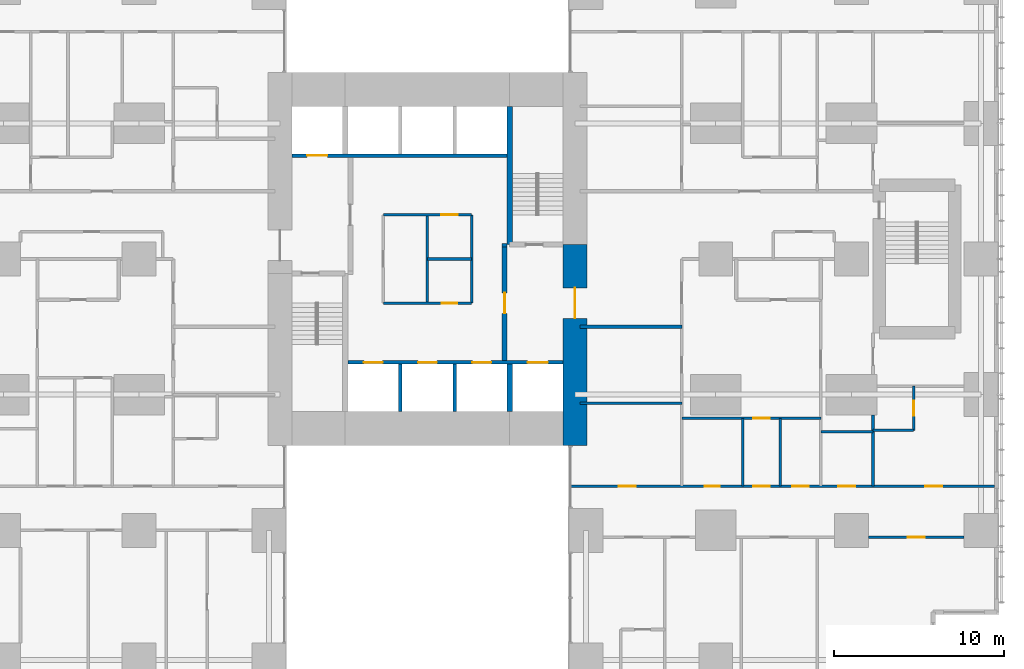
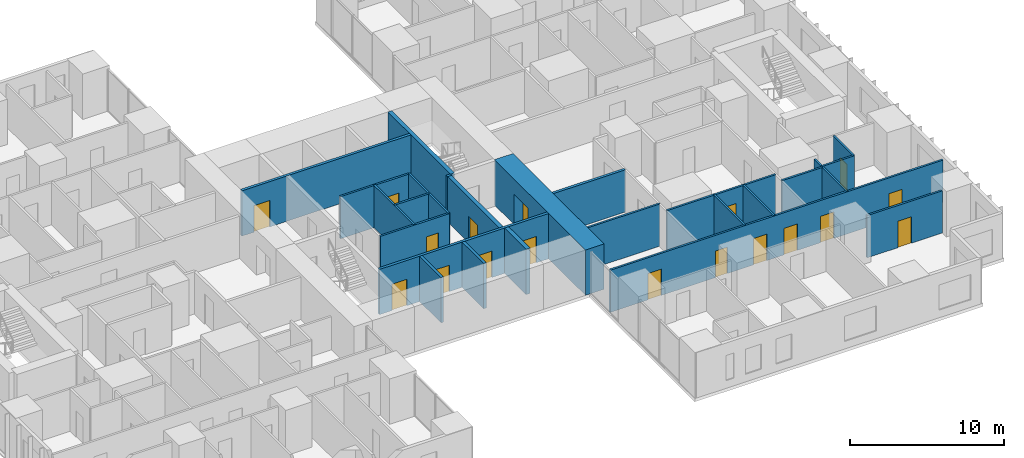
# One storey, part 15 of 20: 25 walls, 18 doors, 18 openings.
"""IFC4 building model written with IfcOpenShell, lengths in metres."""

from ifc_helpers import new_model, si_unit, direction, frame, frame_2d, origin, place, context, subcontext, project, spatial, rectangle, extrude, material, layer, layer_set, type_object, element, fill, save


model = new_model("IFC4")

# Units and contexts
model_context = context("Model", 3, precision=1e-05, world=origin(), true_north=direction((0.0, 1.0)))
body_context = subcontext(model_context, "Body", "Model", "MODEL_VIEW")
ifc_project = project(units=[si_unit("LENGTHUNIT", "METRE"), si_unit("AREAUNIT", "SQUARE_METRE"), si_unit("VOLUMEUNIT", "CUBIC_METRE"), si_unit("PLANEANGLEUNIT", "RADIAN"), si_unit("MASSUNIT", "GRAM", prefix="KILO")], contexts=[model_context])

# Site, building, storey
site_placement = place(None, origin())
site = spatial("IfcSite", under=ifc_project, at=site_placement, CompositionType="ELEMENT")
building_placement = place(site_placement, origin())
building = spatial("IfcBuilding", under=site, at=building_placement, Name="Cleftline Residences", CompositionType="ELEMENT")
storey_placement = place(building_placement, frame((0.0, 0.0, 44.0)))
storey = spatial("IfcBuildingStorey", under=building, at=storey_placement, Name="L10", CompositionType="ELEMENT", Elevation=44.0)

# Wall, opening, door
ifc_material_1 = material(Name="Concrete B70", Category="concrete")
ifc_layer_1 = layer(ifc_material_1, 1.39990234375)
ifc_layer_set_1 = layer_set([ifc_layer_1], Name="CORE WALL 1400")
wall_type_1 = type_object("IfcWallType", Name="CORE WALL 1400", PredefinedType="SHEAR", material=ifc_layer_set_1)
wall_1_placement = place(storey_placement, frame((41.699951171875, 13.0, 0.0), z_axis=(0.0, 0.0, 1.0), x_axis=(0.0, 1.0, 0.0)))
wall_1 = element("IfcWall", 1, at=wall_1_placement, inside=storey, type_object=wall_type_1, Name="Core wall E", PredefinedType="SHEAR", context=body_context, shape_type="SweptSolid", body=[
    extrude(rectangle(XDim=11.85009765625, YDim=1.39990234375, at=frame_2d((5.925048828125, 0.0))), origin(), (0.0, 0.0, 1.0), 3.60009765625),
])
opening_1_placement = place(wall_1_placement, frame((7.5, 0.0, 0.0)))
opening_1 = element("IfcOpeningElement", 2, at=opening_1_placement, cuts=wall_1, Name="Opening D7", PredefinedType="OPENING", context=body_context, shape_type="SweptSolid", body=[
    extrude(rectangle(XDim=1.800048828125, YDim=2.39990234375, at=frame_2d((0.89990234375, 1.199951171875))), frame((0.0, 0.7099609375, 0.0), z_axis=(0.0, -1.0, 0.0), x_axis=(1.0, 0.0, 0.0)), (0.0, 0.0, 1.0), 1.419921875),
])
ifc_material_2 = material(Name="Steel", Category="steel")
door_type_1 = type_object("IfcDoorType", Name="WING DOOR 1800X2400", OperationType="DOUBLE_DOOR_DOUBLE_SWING", PredefinedType="DOOR", material=ifc_material_2)
door_1_placement = place(opening_1_placement, origin())
door_1 = element("IfcDoor", 3, at=door_1_placement, inside=storey, type_object=door_type_1, Name="East wing door", OperationType="DOUBLE_DOOR_DOUBLE_SWING", OverallHeight=2.39990234375, OverallWidth=1.800048828125, PredefinedType="DOOR", context=body_context, shape_type="SweptSolid", body=[
    extrude(rectangle(XDim=1.800048828125, YDim=2.39990234375, at=frame_2d((0.89990234375, 1.199951171875))), frame((0.0, 0.02490234375, 0.0), z_axis=(0.0, -1.0, 0.0), x_axis=(1.0, 0.0, 0.0)), (0.0, 0.0, 1.0), 0.050048828125),
])
fill(opening_1, door_1)

# Walls
ifc_material_3 = material(Name="Concrete B70", Category="concrete")
ifc_layer_2 = layer(ifc_material_3, 0.300048828125)
ifc_layer_set_2 = layer_set([ifc_layer_2], Name="CORE WALL 300")
wall_type_2 = type_object("IfcWallType", Name="CORE WALL 300", PredefinedType="SHEAR", material=ifc_layer_set_2)
wall_2_placement = place(storey_placement, frame((37.85009765625, 24.85009765625, 0.0), z_axis=(0.0, 0.0, 1.0), x_axis=(0.0, 1.0, 0.0)))
element("IfcWall", 4, at=wall_2_placement, inside=storey, type_object=wall_type_2, Name="Core wall SB-W", PredefinedType="SHEAR", context=body_context, shape_type="SweptSolid", body=[
    extrude(rectangle(XDim=8.14990234375, YDim=0.300048828125, at=frame_2d((4.074951171875, 0.0))), origin(), (0.0, 0.0, 1.0), 3.60009765625),
])
wall_3_placement = place(storey_placement, frame((37.85009765625, 15.0, 0.0), z_axis=(0.0, 0.0, 1.0), x_axis=(0.0, 1.0, 0.0)))
element("IfcWall", 5, at=wall_3_placement, inside=storey, type_object=wall_type_2, Name="Lift shaft wall", PredefinedType="SHEAR", context=body_context, shape_type="SweptSolid", body=[
    extrude(rectangle(XDim=2.800048828125, YDim=0.300048828125, at=frame_2d((1.39990234375, 0.0))), origin(), (0.0, 0.0, 1.0), 3.60009765625),
])
ifc_material_4 = material(Name="Concrete blockwork, fire rated", Category="masonry")
ifc_layer_3 = layer(ifc_material_4, 0.199951171875)
ifc_layer_set_3 = layer_set([ifc_layer_3], Name="FIRE WALL 200")
wall_type_3 = type_object("IfcWallType", Name="FIRE WALL 200", PredefinedType="PARTITIONING", material=ifc_layer_set_3)
wall_4_placement = place(storey_placement, frame((42.0, 20.0, 0.0), z_axis=(0.0, 0.0, 1.0), x_axis=(1.0, 0.0, 0.0)))
element("IfcWall", 6, at=wall_4_placement, inside=storey, type_object=wall_type_3, Name="Fire separating wall", PredefinedType="PARTITIONING", context=body_context, shape_type="SweptSolid", body=[
    extrude(rectangle(XDim=6.0, YDim=0.199951171875, at=frame_2d((3.0, 0.0))), origin(), (0.0, 0.0, 1.0), 3.35009765625),
])
wall_5_placement = place(storey_placement, frame((37.39990234375, 24.800048828125, 0.0), z_axis=(0.0, 0.0, 1.0), x_axis=(1.0, 0.0, 0.0)))
element("IfcWall", 7, at=wall_5_placement, inside=storey, type_object=wall_type_3, Name="Fire separating wall", PredefinedType="PARTITIONING", context=body_context, shape_type="SweptSolid", body=[
    extrude(rectangle(XDim=0.300048828125, YDim=0.199951171875, at=frame_2d((0.14990234375, 0.0))), origin(), (0.0, 0.0, 1.0), 3.60009765625),
])

# Wall, opening, door
ifc_material_5 = material(Name="Gypsum board on steel studs", Category="steel")
ifc_layer_4 = layer(ifc_material_5, 0.14990234375)
ifc_layer_set_4 = layer_set([ifc_layer_4], Name="PARTITION 150")
wall_type_4 = type_object("IfcWallType", Name="PARTITION 150", PredefinedType="PARTITIONING", material=ifc_layer_set_4)
wall_6_placement = place(storey_placement, frame((59.0, 7.60009765625, 0.0), z_axis=(0.0, 0.0, 1.0), x_axis=(1.0, 0.0, 0.0)))
wall_6 = element("IfcWall", 8, at=wall_6_placement, inside=storey, type_object=wall_type_4, Name="Partition", PredefinedType="PARTITIONING", context=body_context, shape_type="SweptSolid", body=[
    extrude(rectangle(XDim=5.64990234375, YDim=0.14990234375, at=frame_2d((2.824951171875, 0.0))), origin(), (0.0, 0.0, 1.0), 3.35009765625),
])
opening_2_placement = place(wall_6_placement, frame((2.324951171875, 0.0, 0.0)))
opening_2 = element("IfcOpeningElement", 9, at=opening_2_placement, cuts=wall_6, Name="Opening D2", PredefinedType="OPENING", context=body_context, shape_type="SweptSolid", body=[
    extrude(rectangle(XDim=1.0, YDim=2.10009765625, at=frame_2d((0.5, 1.050048828125))), frame((0.0, 0.0849609375, 0.0), z_axis=(0.0, -1.0, 0.0), x_axis=(1.0, 0.0, 0.0)), (0.0, 0.0, 1.0), 0.169921875),
])
ifc_material_6 = material(Name="Timber veneer on solid core", Category="wood")
door_type_2 = type_object("IfcDoorType", Name="DOOR 1000X2100", OperationType="SINGLE_SWING_LEFT", PredefinedType="DOOR", material=ifc_material_6)
door_2_placement = place(opening_2_placement, origin())
door_2 = element("IfcDoor", 10, at=door_2_placement, inside=storey, type_object=door_type_2, Name="Door to sea-view lounge", OperationType="SINGLE_SWING_LEFT", OverallHeight=2.10009765625, OverallWidth=1.0, PredefinedType="DOOR", context=body_context, shape_type="SweptSolid", body=[
    extrude(rectangle(XDim=1.0, YDim=2.10009765625, at=frame_2d((0.5, 1.050048828125))), frame((0.0, 0.02490234375, 0.0), z_axis=(0.0, -1.0, 0.0), x_axis=(1.0, 0.0, 0.0)), (0.0, 0.0, 1.0), 0.050048828125),
])
fill(opening_2, door_2)

# Wall, openings, doors
wall_7_placement = place(storey_placement, frame((41.43896484375, 10.60009765625, 0.0), z_axis=(0.0, 0.0, 1.0), x_axis=(1.0, 0.0, 0.0)))
wall_7 = element("IfcWall", 11, at=wall_7_placement, inside=storey, type_object=wall_type_4, Name="Partition", PredefinedType="PARTITIONING", context=body_context, shape_type="SweptSolid", body=[
    extrude(rectangle(XDim=25.010986328125, YDim=0.14990234375, at=frame_2d((12.50537109375, 0.0))), origin(), (0.0, 0.0, 1.0), 3.35009765625),
])
opening_3_placement = place(wall_7_placement, frame((10.760986328125, 0.0, 0.0)))
opening_3 = element("IfcOpeningElement", 12, at=opening_3_placement, cuts=wall_7, Name="Opening D2", PredefinedType="OPENING", context=body_context, shape_type="SweptSolid", body=[
    extrude(rectangle(XDim=1.0, YDim=2.10009765625, at=frame_2d((0.5, 1.050048828125))), frame((0.0, 0.0849609375, 0.0), z_axis=(0.0, -1.0, 0.0), x_axis=(1.0, 0.0, 0.0)), (0.0, 0.0, 1.0), 0.169921875),
])
opening_4_placement = place(wall_7_placement, frame((20.923583984375, 0.0, 0.0)))
opening_4 = element("IfcOpeningElement", 13, at=opening_4_placement, cuts=wall_7, Name="Opening D2", PredefinedType="OPENING", context=body_context, shape_type="SweptSolid", body=[
    extrude(rectangle(XDim=1.0, YDim=2.10009765625, at=frame_2d((0.5, 1.050048828125))), frame((0.0, 0.0849609375, 0.0), z_axis=(0.0, -1.0, 0.0), x_axis=(1.0, 0.0, 0.0)), (0.0, 0.0, 1.0), 0.169921875),
])
opening_5_placement = place(wall_7_placement, frame((15.798583984375, 0.0, 0.0)))
opening_5 = element("IfcOpeningElement", 14, at=opening_5_placement, cuts=wall_7, Name="Opening D2", PredefinedType="OPENING", context=body_context, shape_type="SweptSolid", body=[
    extrude(rectangle(XDim=1.0, YDim=2.10009765625, at=frame_2d((0.5, 1.050048828125))), frame((0.0, 0.0849609375, 0.0), z_axis=(0.0, -1.0, 0.0), x_axis=(1.0, 0.0, 0.0)), (0.0, 0.0, 1.0), 0.169921875),
])
opening_6_placement = place(wall_7_placement, frame((13.06103515625, 0.0, 0.0)))
opening_6 = element("IfcOpeningElement", 15, at=opening_6_placement, cuts=wall_7, Name="Opening D2", PredefinedType="OPENING", context=body_context, shape_type="SweptSolid", body=[
    extrude(rectangle(XDim=1.0, YDim=2.10009765625, at=frame_2d((0.5, 1.050048828125))), frame((0.0, 0.0849609375, 0.0), z_axis=(0.0, -1.0, 0.0), x_axis=(1.0, 0.0, 0.0)), (0.0, 0.0, 1.0), 0.169921875),
])
opening_7_placement = place(wall_7_placement, frame((7.910888671875, 0.0, 0.0)))
opening_7 = element("IfcOpeningElement", 16, at=opening_7_placement, cuts=wall_7, Name="Opening D1", PredefinedType="OPENING", context=body_context, shape_type="SweptSolid", body=[
    extrude(rectangle(XDim=0.89990234375, YDim=2.10009765625, at=frame_2d((0.449951171875, 1.050048828125))), frame((0.0, 0.0849609375, 0.0), z_axis=(0.0, -1.0, 0.0), x_axis=(1.0, 0.0, 0.0)), (0.0, 0.0, 1.0), 0.169921875),
])
opening_8_placement = place(wall_7_placement, frame((2.8359375, 0.0, 0.0)))
opening_8 = element("IfcOpeningElement", 17, at=opening_8_placement, cuts=wall_7, Name="Opening D2", PredefinedType="OPENING", context=body_context, shape_type="SweptSolid", body=[
    extrude(rectangle(XDim=1.0, YDim=2.10009765625, at=frame_2d((0.5, 1.050048828125))), frame((0.0, 0.0849609375, 0.0), z_axis=(0.0, -1.0, 0.0), x_axis=(1.0, 0.0, 0.0)), (0.0, 0.0, 1.0), 0.169921875),
])
door_3_placement = place(opening_3_placement, origin())
door_3 = element("IfcDoor", 18, at=door_3_placement, inside=storey, type_object=door_type_2, Name="Door to residence hall", OperationType="SINGLE_SWING_RIGHT", OverallHeight=2.10009765625, OverallWidth=1.0, PredefinedType="DOOR", context=body_context, shape_type="SweptSolid", body=[
    extrude(rectangle(XDim=1.0, YDim=2.10009765625, at=frame_2d((0.5, 1.050048828125))), frame((0.0, 0.02490234375, 0.0), z_axis=(0.0, -1.0, 0.0), x_axis=(1.0, 0.0, 0.0)), (0.0, 0.0, 1.0), 0.050048828125),
])
fill(opening_3, door_3)
door_4_placement = place(opening_4_placement, origin())
door_4 = element("IfcDoor", 19, at=door_4_placement, inside=storey, type_object=door_type_2, Name="Door to master bedroom", OperationType="SINGLE_SWING_LEFT", OverallHeight=2.10009765625, OverallWidth=1.0, PredefinedType="DOOR", context=body_context, shape_type="SweptSolid", body=[
    extrude(rectangle(XDim=1.0, YDim=2.10009765625, at=frame_2d((0.5, 1.050048828125))), frame((0.0, 0.02490234375, 0.0), z_axis=(0.0, -1.0, 0.0), x_axis=(1.0, 0.0, 0.0)), (0.0, 0.0, 1.0), 0.050048828125),
])
fill(opening_4, door_4)
door_5_placement = place(opening_5_placement, origin())
door_5 = element("IfcDoor", 20, at=door_5_placement, inside=storey, type_object=door_type_2, Name="Door to wet kitchen", OperationType="SINGLE_SWING_LEFT", OverallHeight=2.10009765625, OverallWidth=1.0, PredefinedType="DOOR", context=body_context, shape_type="SweptSolid", body=[
    extrude(rectangle(XDim=1.0, YDim=2.10009765625, at=frame_2d((0.5, 1.050048828125))), frame((0.0, 0.02490234375, 0.0), z_axis=(0.0, -1.0, 0.0), x_axis=(1.0, 0.0, 0.0)), (0.0, 0.0, 1.0), 0.050048828125),
])
fill(opening_5, door_5)
door_6_placement = place(opening_6_placement, origin())
door_6 = element("IfcDoor", 21, at=door_6_placement, inside=storey, type_object=door_type_2, Name="Door to media room", OperationType="SINGLE_SWING_LEFT", OverallHeight=2.10009765625, OverallWidth=1.0, PredefinedType="DOOR", context=body_context, shape_type="SweptSolid", body=[
    extrude(rectangle(XDim=1.0, YDim=2.10009765625, at=frame_2d((0.5, 1.050048828125))), frame((0.0, 0.02490234375, 0.0), z_axis=(0.0, -1.0, 0.0), x_axis=(1.0, 0.0, 0.0)), (0.0, 0.0, 1.0), 0.050048828125),
])
fill(opening_6, door_6)
door_7_placement = place(opening_8_placement, origin())
door_7 = element("IfcDoor", 22, at=door_7_placement, inside=storey, type_object=door_type_2, Name="Door to study", OperationType="SINGLE_SWING_RIGHT", OverallHeight=2.10009765625, OverallWidth=1.0, PredefinedType="DOOR", context=body_context, shape_type="SweptSolid", body=[
    extrude(rectangle(XDim=1.0, YDim=2.10009765625, at=frame_2d((0.5, 1.050048828125))), frame((0.0, 0.02490234375, 0.0), z_axis=(0.0, -1.0, 0.0), x_axis=(1.0, 0.0, 0.0)), (0.0, 0.0, 1.0), 0.050048828125),
])
fill(opening_8, door_7)
ifc_material_7 = material(Name="Timber veneer on solid core", Category="wood")
door_type_3 = type_object("IfcDoorType", Name="DOOR 900X2100", OperationType="SINGLE_SWING_LEFT", PredefinedType="DOOR", material=ifc_material_7)
door_8_placement = place(opening_7_placement, origin())
door_8 = element("IfcDoor", 23, at=door_8_placement, inside=storey, type_object=door_type_3, Name="Door to bedroom 2 bathroom", OperationType="SINGLE_SWING_RIGHT", OverallHeight=2.10009765625, OverallWidth=0.89990234375, PredefinedType="DOOR", context=body_context, shape_type="SweptSolid", body=[
    extrude(rectangle(XDim=0.89990234375, YDim=2.10009765625, at=frame_2d((0.449951171875, 1.050048828125))), frame((0.0, 0.02490234375, 0.0), z_axis=(0.0, -1.0, 0.0), x_axis=(1.0, 0.0, 0.0)), (0.0, 0.0, 1.0), 0.050048828125),
])
fill(opening_7, door_8)

# Walls
wall_8_placement = place(storey_placement, frame((56.199951171875, 13.800048828125, 0.0), z_axis=(0.0, 0.0, 1.0), x_axis=(1.0, 0.0, 0.0)))
element("IfcWall", 24, at=wall_8_placement, inside=storey, type_object=wall_type_4, Name="Partition", PredefinedType="PARTITIONING", context=body_context, shape_type="SweptSolid", body=[
    extrude(rectangle(XDim=3.074951171875, YDim=0.14990234375, at=frame_2d((1.53759765625, 0.0))), origin(), (0.0, 0.0, 1.0), 3.35009765625),
])
wall_9_placement = place(storey_placement, frame((59.27490234375, 13.89990234375, 0.0), z_axis=(0.0, 0.0, 1.0), x_axis=(1.0, 0.0, 0.0)))
element("IfcWall", 25, at=wall_9_placement, inside=storey, type_object=wall_type_4, Name="Partition", PredefinedType="PARTITIONING", context=body_context, shape_type="SweptSolid", body=[
    extrude(rectangle(XDim=2.400146484375, YDim=0.14990234375, at=frame_2d((1.2001953125, 0.0))), origin(), (0.0, 0.0, 1.0), 3.35009765625),
])

# Wall, opening, door
wall_10_placement = place(storey_placement, frame((48.0, 14.60009765625, 0.0), z_axis=(0.0, 0.0, 1.0), x_axis=(1.0, 0.0, 0.0)))
wall_10 = element("IfcWall", 26, at=wall_10_placement, inside=storey, type_object=wall_type_4, Name="Partition", PredefinedType="PARTITIONING", context=body_context, shape_type="SweptSolid", body=[
    extrude(rectangle(XDim=8.199951171875, YDim=0.14990234375, at=frame_2d((4.10009765625, 0.0))), origin(), (0.0, 0.0, 1.0), 3.35009765625),
])
opening_9_placement = place(wall_10_placement, frame((4.199951171875, 0.0, 0.0)))
opening_9 = element("IfcOpeningElement", 27, at=opening_9_placement, cuts=wall_10, Name="Opening D2", PredefinedType="OPENING", context=body_context, shape_type="SweptSolid", body=[
    extrude(rectangle(XDim=1.0, YDim=2.10009765625, at=frame_2d((0.5, 1.050048828125))), frame((0.0, 0.0849609375, 0.0), z_axis=(0.0, -1.0, 0.0), x_axis=(1.0, 0.0, 0.0)), (0.0, 0.0, 1.0), 0.169921875),
])
door_9_placement = place(opening_9_placement, origin())
door_9 = element("IfcDoor", 28, at=door_9_placement, inside=storey, type_object=door_type_2, Name="Door to residence passage", OperationType="SINGLE_SWING_LEFT", OverallHeight=2.10009765625, OverallWidth=1.0, PredefinedType="DOOR", context=body_context, shape_type="SweptSolid", body=[
    extrude(rectangle(XDim=1.0, YDim=2.10009765625, at=frame_2d((0.5, 1.050048828125))), frame((0.0, 0.02490234375, 0.0), z_axis=(0.0, -1.0, 0.0), x_axis=(1.0, 0.0, 0.0)), (0.0, 0.0, 1.0), 0.050048828125),
])
fill(opening_9, door_9)

# Walls
wall_11_placement = place(storey_placement, frame((42.0, 15.5, 0.0), z_axis=(0.0, 0.0, 1.0), x_axis=(1.0, 0.0, 0.0)))
element("IfcWall", 29, at=wall_11_placement, inside=storey, type_object=wall_type_4, Name="Partition", PredefinedType="PARTITIONING", context=body_context, shape_type="SweptSolid", body=[
    extrude(rectangle(XDim=6.0, YDim=0.14990234375, at=frame_2d((3.0, 0.0))), origin(), (0.0, 0.0, 1.0), 3.35009765625),
])
for number, where, z_axis, x_axis, name in (
    (30, (51.60009765625, 10.60009765625, 0.0), (0.0, 0.0, 1.0), (0.0, 1.0, 0.0), "Partition"),
    (31, (53.800048828125, 10.60009765625, 0.0), (0.0, 0.0, 1.0), (0.0, 1.0, 0.0), "Partition"),
):
    element("IfcWall", number, at=place(storey_placement, frame(where, z_axis=z_axis, x_axis=x_axis)), inside=storey, type_object=wall_type_4, Name=name, PredefinedType="PARTITIONING", context=body_context, shape_type="SweptSolid", body=[
        extrude(rectangle(XDim=4.0, YDim=0.14990234375, at=frame_2d((2.0, 0.0))), origin(), (0.0, 0.0, 1.0), 3.35009765625),
    ])
wall_12_placement = place(storey_placement, frame((59.27490234375, 10.60009765625, 0.0), z_axis=(0.0, 0.0, 1.0), x_axis=(0.0, 1.0, 0.0)))
element("IfcWall", 32, at=wall_12_placement, inside=storey, type_object=wall_type_4, Name="Partition", PredefinedType="PARTITIONING", context=body_context, shape_type="SweptSolid", body=[
    extrude(rectangle(XDim=4.199951171875, YDim=0.14990234375, at=frame_2d((2.10009765625, 0.0))), origin(), (0.0, 0.0, 1.0), 3.35009765625),
])

# Wall, opening, door
wall_13_placement = place(storey_placement, frame((61.675048828125, 13.89990234375, 0.0), z_axis=(0.0, 0.0, 1.0), x_axis=(0.0, 1.0, 0.0)))
wall_13 = element("IfcWall", 33, at=wall_13_placement, inside=storey, type_object=wall_type_4, Name="Partition", PredefinedType="PARTITIONING", context=body_context, shape_type="SweptSolid", body=[
    extrude(rectangle(XDim=2.60009765625, YDim=0.14990234375, at=frame_2d((1.300048828125, 0.0))), origin(), (0.0, 0.0, 1.0), 3.35009765625),
])
opening_10_placement = place(wall_13_placement, frame((0.85009765625, 0.0, 0.0)))
opening_10 = element("IfcOpeningElement", 34, at=opening_10_placement, cuts=wall_13, Name="Opening D1", PredefinedType="OPENING", context=body_context, shape_type="SweptSolid", body=[
    extrude(rectangle(XDim=0.89990234375, YDim=2.10009765625, at=frame_2d((0.449951171875, 1.050048828125))), frame((0.0, 0.0849609375, 0.0), z_axis=(0.0, -1.0, 0.0), x_axis=(1.0, 0.0, 0.0)), (0.0, 0.0, 1.0), 0.169921875),
])
door_10_placement = place(opening_10_placement, origin())
door_10 = element("IfcDoor", 35, at=door_10_placement, inside=storey, type_object=door_type_3, Name="Door to master bathroom", OperationType="SINGLE_SWING_LEFT", OverallHeight=2.10009765625, OverallWidth=0.89990234375, PredefinedType="DOOR", context=body_context, shape_type="SweptSolid", body=[
    extrude(rectangle(XDim=0.89990234375, YDim=2.10009765625, at=frame_2d((0.449951171875, 1.050048828125))), frame((0.0, 0.02490234375, 0.0), z_axis=(0.0, -1.0, 0.0), x_axis=(1.0, 0.0, 0.0)), (0.0, 0.0, 1.0), 0.050048828125),
])
fill(opening_10, door_10)

ifc_material_8 = material(Name="Fire-resisting gypsum board on steel studs", Category="steel")
ifc_layer_5 = layer(ifc_material_8, 0.14990234375)
ifc_layer_set_5 = layer_set([ifc_layer_5], Name="PARTITION 150 EI 60")
wall_type_5 = type_object("IfcWallType", Name="PARTITION 150 EI 60", PredefinedType="PARTITIONING", material=ifc_layer_set_5)
wall_14_placement = place(storey_placement, frame((30.39990234375, 21.39990234375, 0.0), z_axis=(0.0, 0.0, 1.0), x_axis=(1.0, 0.0, 0.0)))
wall_14 = element("IfcWall", 36, at=wall_14_placement, inside=storey, type_object=wall_type_5, Name="Core room partition", PredefinedType="PARTITIONING", context=body_context, shape_type="SweptSolid", body=[
    extrude(rectangle(XDim=5.2001953125, YDim=0.14990234375, at=frame_2d((2.60009765625, 0.0))), origin(), (0.0, 0.0, 1.0), 3.35009765625),
])
opening_11_placement = place(wall_14_placement, frame((3.449951171875, 0.0, 0.0)))
opening_11 = element("IfcOpeningElement", 37, at=opening_11_placement, cuts=wall_14, Name="Opening D1F30", PredefinedType="OPENING", context=body_context, shape_type="SweptSolid", body=[
    extrude(rectangle(XDim=0.89990234375, YDim=2.10009765625, at=frame_2d((0.449951171875, 1.050048828125))), frame((0.0, 0.0849609375, 0.0), z_axis=(0.0, -1.0, 0.0), x_axis=(1.0, 0.0, 0.0)), (0.0, 0.0, 1.0), 0.169921875),
])
ifc_material_9 = material(Name="Timber veneer on solid core", Category="wood")
door_type_4 = type_object("IfcDoorType", Name="DOOR 900X2100 EI 30", OperationType="SINGLE_SWING_LEFT", PredefinedType="DOOR", material=ifc_material_9)
door_11_placement = place(opening_11_placement, origin())
door_11 = element("IfcDoor", 38, at=door_11_placement, inside=storey, type_object=door_type_4, Name="Door to guest pantry", OperationType="SINGLE_SWING_LEFT", OverallHeight=2.10009765625, OverallWidth=0.89990234375, PredefinedType="DOOR", context=body_context, shape_type="SweptSolid", body=[
    extrude(rectangle(XDim=0.89990234375, YDim=2.10009765625, at=frame_2d((0.449951171875, 1.050048828125))), frame((0.0, 0.02490234375, 0.0), z_axis=(0.0, -1.0, 0.0), x_axis=(1.0, 0.0, 0.0)), (0.0, 0.0, 1.0), 0.050048828125),
])
fill(opening_11, door_11)

wall_15_placement = place(storey_placement, frame((30.39990234375, 26.60009765625, 0.0), z_axis=(0.0, 0.0, 1.0), x_axis=(1.0, 0.0, 0.0)))
wall_15 = element("IfcWall", 39, at=wall_15_placement, inside=storey, type_object=wall_type_5, Name="Core room partition", PredefinedType="PARTITIONING", context=body_context, shape_type="SweptSolid", body=[
    extrude(rectangle(XDim=5.2001953125, YDim=0.14990234375, at=frame_2d((2.60009765625, 0.0))), origin(), (0.0, 0.0, 1.0), 3.35009765625),
])
opening_12_placement = place(wall_15_placement, frame((3.39990234375, 0.0, 0.0)))
opening_12 = element("IfcOpeningElement", 40, at=opening_12_placement, cuts=wall_15, Name="Opening D2F60", PredefinedType="OPENING", context=body_context, shape_type="SweptSolid", body=[
    extrude(rectangle(XDim=1.0, YDim=2.10009765625, at=frame_2d((0.5, 1.050048828125))), frame((0.0, 0.0849609375, 0.0), z_axis=(0.0, -1.0, 0.0), x_axis=(1.0, 0.0, 0.0)), (0.0, 0.0, 1.0), 0.169921875),
])
ifc_material_10 = material(Name="Timber veneer on solid core", Category="wood")
door_type_5 = type_object("IfcDoorType", Name="DOOR 1000X2100 EI 60", OperationType="SINGLE_SWING_LEFT", PredefinedType="DOOR", material=ifc_material_10)
door_12_placement = place(opening_12_placement, origin())
door_12 = element("IfcDoor", 41, at=door_12_placement, inside=storey, type_object=door_type_5, Name="Door to communications room", OperationType="SINGLE_SWING_LEFT", OverallHeight=2.10009765625, OverallWidth=1.0, PredefinedType="DOOR", context=body_context, shape_type="SweptSolid", body=[
    extrude(rectangle(XDim=1.0, YDim=2.10009765625, at=frame_2d((0.5, 1.050048828125))), frame((0.0, 0.02490234375, 0.0), z_axis=(0.0, -1.0, 0.0), x_axis=(1.0, 0.0, 0.0)), (0.0, 0.0, 1.0), 0.050048828125),
])
fill(opening_12, door_12)

# Walls
wall_16_placement = place(storey_placement, frame((35.60009765625, 21.39990234375, 0.0), z_axis=(0.0, 0.0, 1.0), x_axis=(0.0, 1.0, 0.0)))
element("IfcWall", 42, at=wall_16_placement, inside=storey, type_object=wall_type_5, Name="Core room partition", PredefinedType="PARTITIONING", context=body_context, shape_type="SweptSolid", body=[
    extrude(rectangle(XDim=5.2001953125, YDim=0.14990234375, at=frame_2d((2.60009765625, 0.0))), origin(), (0.0, 0.0, 1.0), 3.35009765625),
])
wall_17_placement = place(storey_placement, frame((33.0, 24.0, 0.0), z_axis=(0.0, 0.0, 1.0), x_axis=(1.0, 0.0, 0.0)))
element("IfcWall", 43, at=wall_17_placement, inside=storey, type_object=wall_type_5, Name="Core room partition", PredefinedType="PARTITIONING", context=body_context, shape_type="SweptSolid", body=[
    extrude(rectangle(XDim=2.60009765625, YDim=0.14990234375, at=frame_2d((1.300048828125, 0.0))), origin(), (0.0, 0.0, 1.0), 3.35009765625),
])
wall_18_placement = place(storey_placement, frame((33.0, 21.39990234375, 0.0), z_axis=(0.0, 0.0, 1.0), x_axis=(0.0, 1.0, 0.0)))
element("IfcWall", 44, at=wall_18_placement, inside=storey, type_object=wall_type_5, Name="Core room partition", PredefinedType="PARTITIONING", context=body_context, shape_type="SweptSolid", body=[
    extrude(rectangle(XDim=5.2001953125, YDim=0.14990234375, at=frame_2d((2.60009765625, 0.0))), origin(), (0.0, 0.0, 1.0), 3.35009765625),
])

# Wall, openings, doors
ifc_material_11 = material(Name="Concrete blockwork, fire rated", Category="masonry")
ifc_layer_6 = layer(ifc_material_11, 0.199951171875)
ifc_layer_set_6 = layer_set([ifc_layer_6], Name="SHAFT WALL 200")
wall_type_6 = type_object("IfcWallType", Name="SHAFT WALL 200", PredefinedType="PARTITIONING", material=ifc_layer_set_6)
wall_19_placement = place(storey_placement, frame((28.300048828125, 17.89990234375, 0.0), z_axis=(0.0, 0.0, 1.0), x_axis=(1.0, 0.0, 0.0)))
wall_19 = element("IfcWall", 45, at=wall_19_placement, inside=storey, type_object=wall_type_6, Name="Lift shaft wall", PredefinedType="PARTITIONING", context=body_context, shape_type="SweptSolid", body=[
    extrude(rectangle(XDim=12.699951171875, YDim=0.199951171875, at=frame_2d((6.35009765625, 0.0))), origin(), (0.0, 0.0, 1.0), 3.60009765625),
])
opening_13_placement = place(wall_19_placement, frame((0.949951171875, 0.0, 0.0)))
opening_13 = element("IfcOpeningElement", 46, at=opening_13_placement, cuts=wall_19, Name="Opening LD1", PredefinedType="OPENING", context=body_context, shape_type="SweptSolid", body=[
    extrude(rectangle(XDim=1.10009765625, YDim=2.10009765625, at=frame_2d((0.550048828125, 1.050048828125))), frame((0.0, 0.10986328125, 0.0), z_axis=(0.0, -1.0, 0.0), x_axis=(1.0, 0.0, 0.0)), (0.0, 0.0, 1.0), 0.219970703125),
])
opening_14_placement = place(wall_19_placement, frame((4.14990234375, 0.0, 0.0)))
opening_14 = element("IfcOpeningElement", 47, at=opening_14_placement, cuts=wall_19, Name="Opening LD1", PredefinedType="OPENING", context=body_context, shape_type="SweptSolid", body=[
    extrude(rectangle(XDim=1.10009765625, YDim=2.10009765625, at=frame_2d((0.550048828125, 1.050048828125))), frame((0.0, 0.10986328125, 0.0), z_axis=(0.0, -1.0, 0.0), x_axis=(1.0, 0.0, 0.0)), (0.0, 0.0, 1.0), 0.219970703125),
])
opening_15_placement = place(wall_19_placement, frame((7.35009765625, 0.0, 0.0)))
opening_15 = element("IfcOpeningElement", 48, at=opening_15_placement, cuts=wall_19, Name="Opening LD1", PredefinedType="OPENING", context=body_context, shape_type="SweptSolid", body=[
    extrude(rectangle(XDim=1.10009765625, YDim=2.10009765625, at=frame_2d((0.550048828125, 1.050048828125))), frame((0.0, 0.10986328125, 0.0), z_axis=(0.0, -1.0, 0.0), x_axis=(1.0, 0.0, 0.0)), (0.0, 0.0, 1.0), 0.219970703125),
])
opening_16_placement = place(wall_19_placement, frame((10.60009765625, 0.0, 0.0)))
opening_16 = element("IfcOpeningElement", 49, at=opening_16_placement, cuts=wall_19, Name="Opening LD2", PredefinedType="OPENING", context=body_context, shape_type="SweptSolid", body=[
    extrude(rectangle(XDim=1.199951171875, YDim=2.10009765625, at=frame_2d((0.60009765625, 1.050048828125))), frame((0.0, 0.10986328125, 0.0), z_axis=(0.0, -1.0, 0.0), x_axis=(1.0, 0.0, 0.0)), (0.0, 0.0, 1.0), 0.219970703125),
])
ifc_material_12 = material(Name="Steel", Category="steel")
door_type_6 = type_object("IfcDoorType", Name="FIREFIGHTING LIFT LANDING DOOR 1200X2100", OperationType="SLIDING_TO_LEFT", PredefinedType="DOOR", material=ifc_material_12)
door_13_placement = place(opening_16_placement, origin())
door_13 = element("IfcDoor", 50, at=door_13_placement, inside=storey, type_object=door_type_6, Name="Lift FL2 landing door", OperationType="SLIDING_TO_LEFT", OverallHeight=2.10009765625, OverallWidth=1.199951171875, PredefinedType="DOOR", context=body_context, shape_type="SweptSolid", body=[
    extrude(rectangle(XDim=1.199951171875, YDim=2.10009765625, at=frame_2d((0.60009765625, 1.050048828125))), frame((0.0, 0.02490234375, 0.0), z_axis=(0.0, -1.0, 0.0), x_axis=(1.0, 0.0, 0.0)), (0.0, 0.0, 1.0), 0.050048828125),
])
fill(opening_16, door_13)
ifc_material_13 = material(Name="Steel", Category="steel")
door_type_7 = type_object("IfcDoorType", Name="LIFT LANDING DOOR 1100X2100", OperationType="SLIDING_TO_LEFT", PredefinedType="DOOR", material=ifc_material_13)
door_14_placement = place(opening_13_placement, origin())
door_14 = element("IfcDoor", 51, at=door_14_placement, inside=storey, type_object=door_type_7, Name="Lift P1 landing door", OperationType="SLIDING_TO_LEFT", OverallHeight=2.10009765625, OverallWidth=1.10009765625, PredefinedType="DOOR", context=body_context, shape_type="SweptSolid", body=[
    extrude(rectangle(XDim=1.10009765625, YDim=2.10009765625, at=frame_2d((0.550048828125, 1.050048828125))), frame((0.0, 0.02490234375, 0.0), z_axis=(0.0, -1.0, 0.0), x_axis=(1.0, 0.0, 0.0)), (0.0, 0.0, 1.0), 0.050048828125),
])
fill(opening_13, door_14)
door_15_placement = place(opening_14_placement, origin())
door_15 = element("IfcDoor", 52, at=door_15_placement, inside=storey, type_object=door_type_7, Name="Lift P2 landing door", OperationType="SLIDING_TO_LEFT", OverallHeight=2.10009765625, OverallWidth=1.10009765625, PredefinedType="DOOR", context=body_context, shape_type="SweptSolid", body=[
    extrude(rectangle(XDim=1.10009765625, YDim=2.10009765625, at=frame_2d((0.550048828125, 1.050048828125))), frame((0.0, 0.02490234375, 0.0), z_axis=(0.0, -1.0, 0.0), x_axis=(1.0, 0.0, 0.0)), (0.0, 0.0, 1.0), 0.050048828125),
])
fill(opening_14, door_15)
door_16_placement = place(opening_15_placement, origin())
door_16 = element("IfcDoor", 53, at=door_16_placement, inside=storey, type_object=door_type_7, Name="Lift P3 landing door", OperationType="SLIDING_TO_LEFT", OverallHeight=2.10009765625, OverallWidth=1.10009765625, PredefinedType="DOOR", context=body_context, shape_type="SweptSolid", body=[
    extrude(rectangle(XDim=1.10009765625, YDim=2.10009765625, at=frame_2d((0.550048828125, 1.050048828125))), frame((0.0, 0.02490234375, 0.0), z_axis=(0.0, -1.0, 0.0), x_axis=(1.0, 0.0, 0.0)), (0.0, 0.0, 1.0), 0.050048828125),
])
fill(opening_15, door_16)

# Wall, opening, door
wall_20_placement = place(storey_placement, frame((25.0, 30.10009765625, 0.0), z_axis=(0.0, 0.0, 1.0), x_axis=(1.0, 0.0, 0.0)))
wall_20 = element("IfcWall", 54, at=wall_20_placement, inside=storey, type_object=wall_type_6, Name="Lift shaft wall", PredefinedType="PARTITIONING", context=body_context, shape_type="SweptSolid", body=[
    extrude(rectangle(XDim=12.699951171875, YDim=0.199951171875, at=frame_2d((6.35009765625, 0.0))), origin(), (0.0, 0.0, 1.0), 3.60009765625),
])
opening_17_placement = place(wall_20_placement, frame((0.89990234375, 0.0, 0.0)))
opening_17 = element("IfcOpeningElement", 55, at=opening_17_placement, cuts=wall_20, Name="Opening LD2", PredefinedType="OPENING", context=body_context, shape_type="SweptSolid", body=[
    extrude(rectangle(XDim=1.199951171875, YDim=2.10009765625, at=frame_2d((0.60009765625, 1.050048828125))), frame((0.0, 0.10986328125, 0.0), z_axis=(0.0, -1.0, 0.0), x_axis=(1.0, 0.0, 0.0)), (0.0, 0.0, 1.0), 0.219970703125),
])
door_17_placement = place(opening_17_placement, origin())
door_17 = element("IfcDoor", 56, at=door_17_placement, inside=storey, type_object=door_type_6, Name="Lift FL1 landing door", OperationType="SLIDING_TO_LEFT", OverallHeight=2.10009765625, OverallWidth=1.199951171875, PredefinedType="DOOR", context=body_context, shape_type="SweptSolid", body=[
    extrude(rectangle(XDim=1.199951171875, YDim=2.10009765625, at=frame_2d((0.60009765625, 1.050048828125))), frame((0.0, 0.02490234375, 0.0), z_axis=(0.0, -1.0, 0.0), x_axis=(1.0, 0.0, 0.0)), (0.0, 0.0, 1.0), 0.050048828125),
])
fill(opening_17, door_17)

# Walls
for number, where, z_axis, x_axis, name in (
    (57, (31.39990234375, 15.0, 0.0), (0.0, 0.0, 1.0), (0.0, 1.0, 0.0), "Lift shaft wall"),
    (58, (34.60009765625, 15.0, 0.0), (0.0, 0.0, 1.0), (0.0, 1.0, 0.0), "Lift shaft wall"),
):
    element("IfcWall", number, at=place(storey_placement, frame(where, z_axis=z_axis, x_axis=x_axis)), inside=storey, type_object=wall_type_6, Name=name, PredefinedType="PARTITIONING", context=body_context, shape_type="SweptSolid", body=[
        extrude(rectangle(XDim=2.800048828125, YDim=0.199951171875, at=frame_2d((1.39990234375, 0.0))), origin(), (0.0, 0.0, 1.0), 3.60009765625),
    ])

# Wall, opening, door
ifc_material_14 = material(Name="Concrete blockwork, fire rated", Category="masonry")
ifc_layer_7 = layer(ifc_material_14, 0.300048828125)
ifc_layer_set_7 = layer_set([ifc_layer_7], Name="STAIR LOBBY WALL 300")
wall_type_7 = type_object("IfcWallType", Name="STAIR LOBBY WALL 300", PredefinedType="PARTITIONING", material=ifc_layer_set_7)
wall_21_placement = place(storey_placement, frame((37.550048828125, 18.0, 0.0), z_axis=(0.0, 0.0, 1.0), x_axis=(0.0, 1.0, 0.0)))
wall_21 = element("IfcWall", 59, at=wall_21_placement, inside=storey, type_object=wall_type_7, Name="Stair and lobby wall FB-W", PredefinedType="PARTITIONING", context=body_context, shape_type="SweptSolid", body=[
    extrude(rectangle(XDim=6.699951171875, YDim=0.300048828125, at=frame_2d((3.35009765625, 0.0))), origin(), (0.0, 0.0, 1.0), 3.60009765625),
])
opening_18_placement = place(wall_21_placement, frame((2.800048828125, 0.0, 0.0)))
opening_18 = element("IfcOpeningElement", 60, at=opening_18_placement, cuts=wall_21, Name="Opening D6", PredefinedType="OPENING", context=body_context, shape_type="SweptSolid", body=[
    extrude(rectangle(XDim=1.199951171875, YDim=2.10009765625, at=frame_2d((0.60009765625, 1.050048828125))), frame((0.0, 0.159912109375, 0.0), z_axis=(0.0, -1.0, 0.0), x_axis=(1.0, 0.0, 0.0)), (0.0, 0.0, 1.0), 0.320068359375),
])
ifc_material_15 = material(Name="Steel", Category="steel")
door_type_8 = type_object("IfcDoorType", Name="LOBBY DOOR 1200X2100", OperationType="SINGLE_SWING_RIGHT", PredefinedType="DOOR", material=ifc_material_15)
door_18_placement = place(opening_18_placement, origin())
door_18 = element("IfcDoor", 61, at=door_18_placement, inside=storey, type_object=door_type_8, Name="Firefighting lobby B door", OperationType="SINGLE_SWING_LEFT", OverallHeight=2.10009765625, OverallWidth=1.199951171875, PredefinedType="DOOR", context=body_context, shape_type="SweptSolid", body=[
    extrude(rectangle(XDim=1.199951171875, YDim=2.10009765625, at=frame_2d((0.60009765625, 1.050048828125))), frame((0.0, 0.02490234375, 0.0), z_axis=(0.0, -1.0, 0.0), x_axis=(1.0, 0.0, 0.0)), (0.0, 0.0, 1.0), 0.050048828125),
])
fill(opening_18, door_18)

save(model, "model.ifc")
